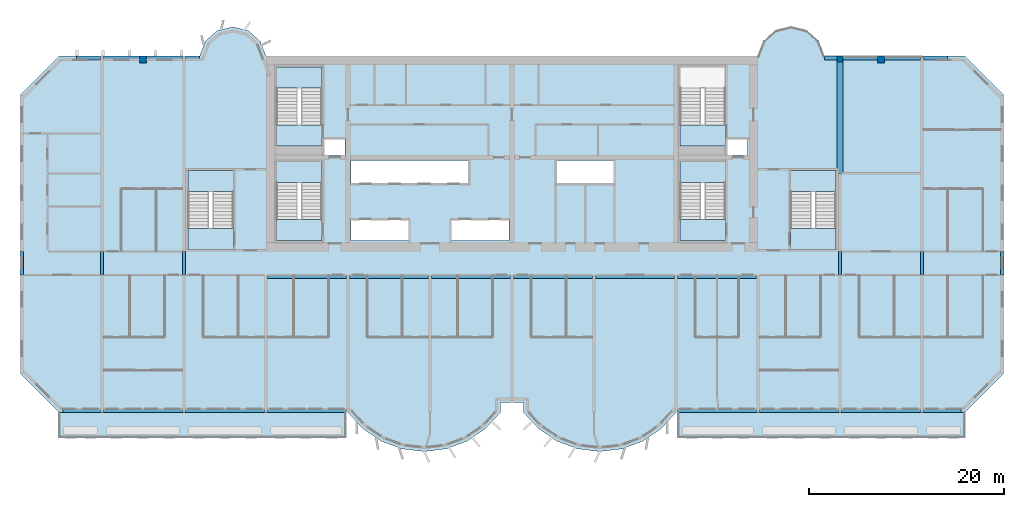
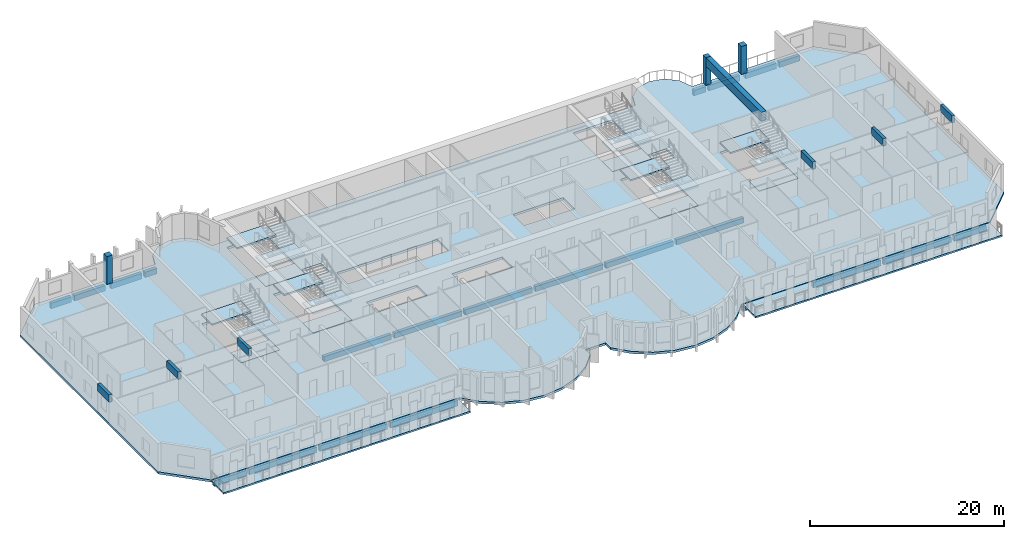
# One storey, part 1 of 14: 29 beams, 20 slabs, 3 columns, 6 elements without a shape of their own.
"""IFC4 building model written with IfcOpenShell, lengths in metres."""

from ifc_helpers import new_model, si_unit, direction, frame, origin, origin_2d, place, context, subcontext, project, spatial, polyline, rectangle, outline, extrude, source, transform, mapped, material, layer, layer_set, material_profile, profile_set, type_object, element, aggregate, save


model = new_model("IFC4")

# Units and contexts
model_context = context("Model", 3, precision=1e-05, world=origin(), true_north=direction((0.0, 1.0)))
body_context = subcontext(model_context, "Body", "Model", "MODEL_VIEW")
ifc_project = project(units=[si_unit("LENGTHUNIT", "METRE"), si_unit("AREAUNIT", "SQUARE_METRE"), si_unit("VOLUMEUNIT", "CUBIC_METRE"), si_unit("PLANEANGLEUNIT", "RADIAN"), si_unit("MASSUNIT", "GRAM", prefix="KILO")], contexts=[model_context])

# Site, building, storey
site_placement = place(None, origin())
site = spatial("IfcSite", under=ifc_project, at=site_placement, CompositionType="ELEMENT")
building_placement = place(site_placement, origin())
building = spatial("IfcBuilding", under=site, at=building_placement, Name="Vanashikhar Sky Hotel", CompositionType="ELEMENT")
storey_placement = place(building_placement, frame((0.0, 0.0, 121.800048828125)))
storey = spatial("IfcBuildingStorey", under=building, at=storey_placement, Name="L29", CompositionType="ELEMENT", Elevation=121.800048828125)

# Columns
ifc_material_1 = material(Name="Concrete M60", Category="concrete")
ifc_material_profile_1 = material_profile(ifc_material_1, rectangle(XDim=0.60009765625, YDim=0.60009765625, at=origin_2d()))
ifc_profile_set_1 = profile_set([ifc_material_profile_1], Name="RC 600x600 column Concrete M60")
column_type_1 = type_object("IfcColumnType", Name="RC 600x600 column Concrete M60", PredefinedType="COLUMN", material=ifc_profile_set_1)
shared_shape_1 = source(origin(), body_context, "Body", "SweptSolid", [
    extrude(rectangle(XDim=0.60009765625, YDim=0.60009765625, at=origin_2d()), origin(), (0.0, 0.0, 1.0), 3.52001953125),
])
column_placement = place(storey_placement, frame((84.0, 41.699951171875, 0.0), z_axis=(0.0, 0.0, 1.0), x_axis=(1.0, 0.0, 0.0)))
element("IfcColumn", 1, at=column_placement, inside=storey, type_object=column_type_1, Name="CL-L29-CRF", PredefinedType="COLUMN", context=body_context, shape_type="MappedRepresentation", body=[
    mapped(shared_shape_1, transform((0.0, 0.0, 0.0), scale=1.0)),
])
ifc_material_profile_2 = material_profile(ifc_material_1, rectangle(XDim=0.699951171875, YDim=0.699951171875, at=origin_2d()))
ifc_profile_set_2 = profile_set([ifc_material_profile_2], Name="RC 700x700 column Concrete M60")
column_type_2 = type_object("IfcColumnType", Name="RC 700x700 column Concrete M60", PredefinedType="COLUMN", material=ifc_profile_set_2)
shared_shape_2 = source(origin(), body_context, "Body", "SweptSolid", [
    extrude(rectangle(XDim=0.699951171875, YDim=0.699951171875, at=origin_2d()), origin(), (0.0, 0.0, 1.0), 3.52001953125),
])
for number, where, z_axis, x_axis, name in (
    (2, (12.60009765625, 41.64990234375, 0.0), (0.0, 0.0, 1.0), (1.0, 0.0, 0.0), "CL-L29-CR02"),
    (3, (88.199951171875, 41.64990234375, 0.0), (0.0, 0.0, 1.0), (1.0, 0.0, 0.0), "CL-L29-CR11"),
):
    element("IfcColumn", number, at=place(storey_placement, frame(where, z_axis=z_axis, x_axis=x_axis)), inside=storey, type_object=column_type_2, Name=name, PredefinedType="COLUMN", context=body_context, shape_type="MappedRepresentation", body=[
        mapped(shared_shape_2, transform((0.0, 0.0, 0.0), scale=1.0)),
    ])

# Beams
ifc_material_2 = material(Name="Concrete M50", Category="concrete")
ifc_material_profile_3 = material_profile(ifc_material_2, rectangle(XDim=0.60009765625, YDim=1.10009765625, at=origin_2d()))
ifc_profile_set_3 = profile_set([ifc_material_profile_3], Name="RC 600x1100 beam Concrete M50")
beam_type_1 = type_object("IfcBeamType", Name="RC 600x1100 beam Concrete M50", PredefinedType="BEAM", material=ifc_profile_set_3)
shared_shape_3 = source(origin(), body_context, "Body", "SweptSolid", [
    extrude(rectangle(XDim=0.60009765625, YDim=1.10009765625, at=origin_2d()), origin(), (0.0, 0.0, 1.0), 11.39990234375),
])
beam_1_placement = place(storey_placement, frame((84.0, 30.0, 2.969970703125), z_axis=(0.0, 1.0, 0.0), x_axis=(-1.0, 0.0, 0.0)))
element("IfcBeam", 4, at=beam_1_placement, inside=storey, type_object=beam_type_1, Name="LB-L29-XW11-O1", PredefinedType="BEAM", context=body_context, shape_type="MappedRepresentation", body=[
    mapped(shared_shape_3, transform((0.0, 0.0, 0.0), scale=1.0)),
])
ifc_material_profile_4 = material_profile(ifc_material_2, rectangle(XDim=0.35009765625, YDim=0.89990234375, at=origin_2d()))
ifc_profile_set_4 = profile_set([ifc_material_profile_4], Name="RC 350x900 beam Concrete M50")
beam_type_2 = type_object("IfcBeamType", Name="RC 350x900 beam Concrete M50", PredefinedType="LINTEL", material=ifc_profile_set_4)
shared_shape_4 = source(origin(), body_context, "Body", "SweptSolid", [
    extrude(rectangle(XDim=0.35009765625, YDim=0.89990234375, at=origin_2d()), origin(), (0.0, 0.0, 1.0), 2.39990234375),
])
for number, where, z_axis, x_axis, name in (
    (5, (0.175048828125, 19.60009765625, 3.070068359375), (0.0, 1.0, 0.0), (-1.0, 0.0, 0.0), "LB-L29-XW01"),
    (6, (8.39990234375, 19.60009765625, 3.070068359375), (0.0, 1.0, 0.0), (-1.0, 0.0, 0.0), "LB-L29-XW02"),
    (7, (16.800048828125, 19.60009765625, 3.070068359375), (0.0, 1.0, 0.0), (-1.0, 0.0, 0.0), "LB-L29-XW03"),
    (8, (84.0, 19.60009765625, 3.070068359375), (0.0, 1.0, 0.0), (-1.0, 0.0, 0.0), "LB-L29-XW11"),
    (9, (92.39990234375, 19.60009765625, 3.070068359375), (0.0, 1.0, 0.0), (-1.0, 0.0, 0.0), "LB-L29-XW12"),
    (10, (100.625, 19.60009765625, 3.070068359375), (0.0, 1.0, 0.0), (-1.0, 0.0, 0.0), "LB-L29-XW13"),
):
    element("IfcBeam", number, at=place(storey_placement, frame(where, z_axis=z_axis, x_axis=x_axis)), inside=storey, type_object=beam_type_2, Name=name, PredefinedType="LINTEL", context=body_context, shape_type="MappedRepresentation", body=[
        mapped(shared_shape_4, transform((0.0, 0.0, 0.0), scale=1.0)),
    ])
ifc_material_profile_5 = material_profile(ifc_material_2, rectangle(XDim=0.39990234375, YDim=0.699951171875, at=origin_2d()))
ifc_profile_set_5 = profile_set([ifc_material_profile_5], Name="RC 400x700 beam Concrete M50")
beam_type_3 = type_object("IfcBeamType", Name="RC 400x700 beam Concrete M50", PredefinedType="SPANDREL", material=ifc_profile_set_5)
shared_shape_5 = source(origin(), body_context, "Body", "SweptSolid", [
    extrude(rectangle(XDim=0.39990234375, YDim=0.699951171875, at=origin_2d()), origin(), (0.0, 0.0, 1.0), 8.050048828125),
])
for number, where, z_axis, x_axis, name in (
    (11, (8.574951171875, 5.699951171875, -0.630126953125), (1.0, 0.0, 0.0), (0.0, 1.0, 0.0), "EB-L29-F01"),
    (12, (25.375, 5.699951171875, -0.630126953125), (1.0, 0.0, 0.0), (0.0, 1.0, 0.0), "EB-L29-F03"),
    (13, (67.375, 5.699951171875, -0.630126953125), (1.0, 0.0, 0.0), (0.0, 1.0, 0.0), "EB-L29-F05"),
    (14, (75.77490234375, 5.699951171875, -0.630126953125), (1.0, 0.0, 0.0), (0.0, 1.0, 0.0), "EB-L29-F06"),
    (15, (84.175048828125, 5.699951171875, -0.630126953125), (1.0, 0.0, 0.0), (0.0, 1.0, 0.0), "EB-L29-F07"),
):
    element("IfcBeam", number, at=place(storey_placement, frame(where, z_axis=z_axis, x_axis=x_axis)), inside=storey, type_object=beam_type_3, Name=name, PredefinedType="SPANDREL", context=body_context, shape_type="MappedRepresentation", body=[
        mapped(shared_shape_5, transform((0.0, 0.0, 0.0), scale=1.0)),
    ])
shared_shape_6 = source(origin(), body_context, "Body", "SweptSolid", [
    extrude(rectangle(XDim=0.39990234375, YDim=0.699951171875, at=origin_2d()), origin(), (0.0, 0.0, 1.0), 8.0498046875),
])
beam_2_placement = place(storey_placement, frame((16.97509765625, 5.699951171875, -0.630126953125), z_axis=(1.0, 0.0, 0.0), x_axis=(0.0, 1.0, 0.0)))
element("IfcBeam", 16, at=beam_2_placement, inside=storey, type_object=beam_type_3, Name="EB-L29-F02", PredefinedType="SPANDREL", context=body_context, shape_type="MappedRepresentation", body=[
    mapped(shared_shape_6, transform((0.0, 0.0, 0.0), scale=1.0)),
])
ifc_material_profile_6 = material_profile(ifc_material_2, rectangle(XDim=0.39990234375, YDim=0.699951171875, at=origin_2d()))
ifc_profile_set_6 = profile_set([ifc_material_profile_6], Name="RC 400x700 cantilever beam Concrete M50")
beam_type_4 = type_object("IfcBeamType", Name="RC 400x700 cantilever beam Concrete M50", PredefinedType="SPANDREL", material=ifc_profile_set_6)
shared_shape_7 = source(origin(), body_context, "Body", "SweptSolid", [
    extrude(rectangle(XDim=0.39990234375, YDim=0.699951171875, at=origin_2d()), origin(), (0.0, 0.0, 1.0), 3.8251953125),
])
beam_3_placement = place(storey_placement, frame((4.39990234375, 5.699951171875, -0.630126953125), z_axis=(1.0, 0.0, 0.0), x_axis=(0.0, 1.0, 0.0)))
element("IfcBeam", 17, at=beam_3_placement, inside=storey, type_object=beam_type_4, Name="EB-L29-F04", PredefinedType="SPANDREL", context=body_context, shape_type="MappedRepresentation", body=[
    mapped(shared_shape_7, transform((0.0, 0.0, 0.0), scale=1.0)),
])
shared_shape_8 = source(origin(), body_context, "Body", "SweptSolid", [
    extrude(rectangle(XDim=0.39990234375, YDim=0.699951171875, at=origin_2d()), origin(), (0.0, 0.0, 1.0), 3.824951171875),
])
beam_4_placement = place(storey_placement, frame((92.574951171875, 5.699951171875, -0.630126953125), z_axis=(1.0, 0.0, 0.0), x_axis=(0.0, 1.0, 0.0)))
element("IfcBeam", 18, at=beam_4_placement, inside=storey, type_object=beam_type_4, Name="EB-L29-F08", PredefinedType="SPANDREL", context=body_context, shape_type="MappedRepresentation", body=[
    mapped(shared_shape_8, transform((0.0, 0.0, 0.0), scale=1.0)),
])
shared_shape_9 = source(origin(), body_context, "Body", "SweptSolid", [
    extrude(rectangle(XDim=0.39990234375, YDim=0.699951171875, at=origin_2d()), origin(), (0.0, 0.0, 1.0), 3.675048828125),
])
for number, where, z_axis, x_axis, name in (
    (19, (8.574951171875, 41.800048828125, -0.630126953125), (1.0, 0.0, 0.0), (0.0, 1.0, 0.0), "EB-L29-R01"),
    (20, (12.949951171875, 41.800048828125, -0.630126953125), (1.0, 0.0, 0.0), (0.0, 1.0, 0.0), "EB-L29-R02"),
    (21, (84.175048828125, 41.800048828125, -0.630126953125), (1.0, 0.0, 0.0), (0.0, 1.0, 0.0), "EB-L29-R05"),
    (22, (88.550048828125, 41.800048828125, -0.630126953125), (1.0, 0.0, 0.0), (0.0, 1.0, 0.0), "EB-L29-R06"),
):
    element("IfcBeam", number, at=place(storey_placement, frame(where, z_axis=z_axis, x_axis=x_axis)), inside=storey, type_object=beam_type_3, Name=name, PredefinedType="SPANDREL", context=body_context, shape_type="MappedRepresentation", body=[
        mapped(shared_shape_9, transform((0.0, 0.0, 0.0), scale=1.0)),
    ])
shared_shape_10 = source(origin(), body_context, "Body", "SweptSolid", [
    extrude(rectangle(XDim=0.39990234375, YDim=0.699951171875, at=origin_2d()), origin(), (0.0, 0.0, 1.0), 2.43017578125),
])
beam_5_placement = place(storey_placement, frame((5.794921875, 41.800048828125, -0.630126953125), z_axis=(1.0, 0.0, 0.0), x_axis=(0.0, 1.0, 0.0)))
element("IfcBeam", 23, at=beam_5_placement, inside=storey, type_object=beam_type_4, Name="EB-L29-R03", PredefinedType="SPANDREL", context=body_context, shape_type="MappedRepresentation", body=[
    mapped(shared_shape_10, transform((0.0, 0.0, 0.0), scale=1.0)),
])
shared_shape_11 = source(origin(), body_context, "Body", "SweptSolid", [
    extrude(rectangle(XDim=0.39990234375, YDim=0.699951171875, at=origin_2d()), origin(), (0.0, 0.0, 1.0), 1.4248046875),
])
beam_6_placement = place(storey_placement, frame((16.97509765625, 41.800048828125, -0.630126953125), z_axis=(1.0, 0.0, 0.0), x_axis=(0.0, 1.0, 0.0)))
element("IfcBeam", 24, at=beam_6_placement, inside=storey, type_object=beam_type_4, Name="EB-L29-R04", PredefinedType="SPANDREL", context=body_context, shape_type="MappedRepresentation", body=[
    mapped(shared_shape_11, transform((0.0, 0.0, 0.0), scale=1.0)),
])
shared_shape_12 = source(origin(), body_context, "Body", "SweptSolid", [
    extrude(rectangle(XDim=0.39990234375, YDim=0.699951171875, at=origin_2d()), origin(), (0.0, 0.0, 1.0), 1.425048828125),
])
beam_7_placement = place(storey_placement, frame((82.39990234375, 41.800048828125, -0.630126953125), z_axis=(1.0, 0.0, 0.0), x_axis=(0.0, 1.0, 0.0)))
element("IfcBeam", 25, at=beam_7_placement, inside=storey, type_object=beam_type_4, Name="EB-L29-R07", PredefinedType="SPANDREL", context=body_context, shape_type="MappedRepresentation", body=[
    mapped(shared_shape_12, transform((0.0, 0.0, 0.0), scale=1.0)),
])
shared_shape_13 = source(origin(), body_context, "Body", "SweptSolid", [
    extrude(rectangle(XDim=0.39990234375, YDim=0.699951171875, at=origin_2d()), origin(), (0.0, 0.0, 1.0), 2.429931640625),
])
beam_8_placement = place(storey_placement, frame((92.574951171875, 41.800048828125, -0.630126953125), z_axis=(1.0, 0.0, 0.0), x_axis=(0.0, 1.0, 0.0)))
element("IfcBeam", 26, at=beam_8_placement, inside=storey, type_object=beam_type_4, Name="EB-L29-R08", PredefinedType="SPANDREL", context=body_context, shape_type="MappedRepresentation", body=[
    mapped(shared_shape_13, transform((0.0, 0.0, 0.0), scale=1.0)),
])
ifc_material_profile_7 = material_profile(ifc_material_2, rectangle(XDim=0.39990234375, YDim=0.64990234375, at=origin_2d()))
ifc_profile_set_7 = profile_set([ifc_material_profile_7], Name="RC 400x650 beam Concrete M50")
beam_type_5 = type_object("IfcBeamType", Name="RC 400x650 beam Concrete M50", PredefinedType="BEAM", material=ifc_profile_set_7)
shared_shape_14 = source(origin(), body_context, "Body", "SweptSolid", [
    extrude(rectangle(XDim=0.39990234375, YDim=0.64990234375, at=origin_2d()), origin(), (0.0, 0.0, 1.0), 8.050048828125),
])
for number, where, z_axis, x_axis, name in (
    (27, (25.375, 19.39990234375, -0.60498046875), (1.0, 0.0, 0.0), (0.0, 1.0, 0.0), "CB-L29-01"),
    (28, (33.77490234375, 19.39990234375, -0.60498046875), (1.0, 0.0, 0.0), (0.0, 1.0, 0.0), "CB-L29-02"),
    (29, (42.175048828125, 19.39990234375, -0.60498046875), (1.0, 0.0, 0.0), (0.0, 1.0, 0.0), "CB-L29-03"),
    (30, (50.574951171875, 19.39990234375, -0.60498046875), (1.0, 0.0, 0.0), (0.0, 1.0, 0.0), "CB-L29-04"),
    (31, (67.375, 19.39990234375, -0.60498046875), (1.0, 0.0, 0.0), (0.0, 1.0, 0.0), "CB-L29-06"),
):
    element("IfcBeam", number, at=place(storey_placement, frame(where, z_axis=z_axis, x_axis=x_axis)), inside=storey, type_object=beam_type_5, Name=name, PredefinedType="BEAM", context=body_context, shape_type="MappedRepresentation", body=[
        mapped(shared_shape_14, transform((0.0, 0.0, 0.0), scale=1.0)),
    ])
shared_shape_15 = source(origin(), body_context, "Body", "SweptSolid", [
    extrude(rectangle(XDim=0.39990234375, YDim=0.64990234375, at=origin_2d()), origin(), (0.0, 0.0, 1.0), 8.0498046875),
])
beam_9_placement = place(storey_placement, frame((58.97509765625, 19.39990234375, -0.60498046875), z_axis=(1.0, 0.0, 0.0), x_axis=(0.0, 1.0, 0.0)))
element("IfcBeam", 32, at=beam_9_placement, inside=storey, type_object=beam_type_5, Name="CB-L29-05", PredefinedType="BEAM", context=body_context, shape_type="MappedRepresentation", body=[
    mapped(shared_shape_15, transform((0.0, 0.0, 0.0), scale=1.0)),
])

# Slabs
ifc_material_3 = material(Name="Concrete M40", Category="concrete")
ifc_layer_1 = layer(ifc_material_3, 0.280029296875)
ifc_layer_set_1 = layer_set([ifc_layer_1], Name="Floor slab 280 mm")
slab_type_1 = type_object("IfcSlabType", Name="Floor slab 280 mm", PredefinedType="FLOOR", material=ifc_layer_set_1)
shared_shape_16 = source(origin(), body_context, "Body", "SweptSolid", [
    extrude(outline(polyline([(49.199951171875, 5.5), (49.199951171875, 6.5), (51.60009765625, 6.5), (51.60009765625, 5.5), (53.133056640625, 3.825927734375), (55.01708984375, 2.55810546875), (57.14599609375, 1.76806640625), (59.39990234375, 1.5), (61.654052734375, 1.76806640625), (63.782958984375, 2.55810546875), (65.6669921875, 3.825927734375), (67.199951171875, 5.5), (96.800048828125, 5.5), (100.800048828125, 9.5), (100.800048828125, 38.0), (96.800048828125, 42.0), (82.39990234375, 42.0), (81.81494140625, 43.527099609375), (80.587890625, 44.610107421875), (79.0, 45.0), (77.412109375, 44.610107421875), (76.18505859375, 43.527099609375), (75.60009765625, 42.0), (25.199951171875, 42.0), (24.614990234375, 43.527099609375), (23.387939453125, 44.610107421875), (21.800048828125, 45.0), (20.2119140625, 44.610107421875), (18.985107421875, 43.527099609375), (18.39990234375, 42.0), (4.0, 42.0), (0.0, 38.0), (0.0, 9.5), (4.0, 5.5), (33.60009765625, 5.5), (35.133056640625, 3.825927734375), (37.01708984375, 2.55810546875), (39.14599609375, 1.76806640625), (41.39990234375, 1.5), (43.654052734375, 1.76806640625), (45.782958984375, 2.55810546875), (47.6669921875, 3.825927734375), (49.199951171875, 5.5)]), holes=[polyline([(33.300048828125, 33.60009765625), (31.050048828125, 33.60009765625), (31.050048828125, 31.89990234375), (33.300048828125, 31.89990234375), (33.300048828125, 33.60009765625)]), polyline([(33.89990234375, 25.199951171875), (33.89990234375, 23.10009765625), (39.89990234375, 23.10009765625), (39.89990234375, 25.199951171875), (33.89990234375, 25.199951171875)]), polyline([(33.89990234375, 31.300048828125), (33.89990234375, 29.0), (45.89990234375, 29.0), (45.89990234375, 31.300048828125), (33.89990234375, 31.300048828125)]), polyline([(44.10009765625, 25.199951171875), (44.10009765625, 23.10009765625), (50.10009765625, 23.10009765625), (50.10009765625, 25.199951171875), (44.10009765625, 25.199951171875)]), polyline([(54.89990234375, 31.300048828125), (54.89990234375, 29.0), (60.89990234375, 29.0), (60.89990234375, 31.300048828125), (54.89990234375, 31.300048828125)]), polyline([(74.5, 33.60009765625), (72.35009765625, 33.60009765625), (72.35009765625, 31.89990234375), (74.5, 31.89990234375), (74.5, 33.60009765625)]), polyline([(30.949951171875, 23.10009765625), (30.949951171875, 31.199951171875), (26.300048828125, 31.199951171875), (26.300048828125, 23.10009765625), (30.949951171875, 23.10009765625)]), polyline([(72.25, 23.10009765625), (72.25, 31.199951171875), (67.60009765625, 31.199951171875), (67.60009765625, 23.10009765625), (72.25, 23.10009765625)]), polyline([(30.949951171875, 32.800048828125), (30.949951171875, 40.89990234375), (26.300048828125, 40.89990234375), (26.300048828125, 32.800048828125), (30.949951171875, 32.800048828125)]), polyline([(72.25, 32.800048828125), (72.25, 40.89990234375), (67.60009765625, 40.89990234375), (67.60009765625, 32.800048828125), (72.25, 32.800048828125)]), polyline([(83.60009765625, 22.199951171875), (83.60009765625, 30.300048828125), (78.949951171875, 30.300048828125), (78.949951171875, 22.199951171875), (83.60009765625, 22.199951171875)]), polyline([(21.85009765625, 22.199951171875), (21.85009765625, 30.300048828125), (17.199951171875, 30.300048828125), (17.199951171875, 22.199951171875), (21.85009765625, 22.199951171875)])]), origin(), (0.0, 0.0, 1.0), 0.280029296875),
])
slab_1_placement = place(storey_placement, frame((0.0, 0.0, -0.280029296875)))
element("IfcSlab", 33, at=slab_1_placement, inside=storey, type_object=slab_type_1, Name="Floor slab L29", PredefinedType="FLOOR", context=body_context, shape_type="MappedRepresentation", body=[
    mapped(shared_shape_16, transform((0.0, 0.0, 0.0), scale=1.0)),
])
ifc_layer_2 = layer(ifc_material_3, 0.199951171875)
ifc_layer_set_2 = layer_set([ifc_layer_2], Name="Balcony slab 200 mm")
slab_type_2 = type_object("IfcSlabType", Name="Balcony slab 200 mm", PredefinedType="USERDEFINED", material=ifc_layer_set_2)
shared_shape_17 = source(origin(), body_context, "Body", "SweptSolid", [
    extrude(outline(polyline([(4.0, 2.89990234375), (33.39990234375, 2.89990234375), (33.39990234375, 5.5), (4.0, 5.5), (4.0, 2.89990234375)])), origin(), (0.0, 0.0, 1.0), 0.199951171875),
])
slab_2_placement = place(storey_placement, frame((0.0, 0.0, -0.25)))
element("IfcSlab", 34, at=slab_2_placement, inside=storey, type_object=slab_type_2, Name="Balcony slab L29 1", ObjectType="BALCONY", PredefinedType="USERDEFINED", context=body_context, shape_type="MappedRepresentation", body=[
    mapped(shared_shape_17, transform((0.0, 0.0, 0.0), scale=1.0)),
])
shared_shape_18 = source(origin(), body_context, "Body", "SweptSolid", [
    extrude(outline(polyline([(67.39990234375, 2.89990234375), (96.800048828125, 2.89990234375), (96.800048828125, 5.5), (67.39990234375, 5.5), (67.39990234375, 2.89990234375)])), origin(), (0.0, 0.0, 1.0), 0.199951171875),
])
slab_3_placement = place(storey_placement, frame((0.0, 0.0, -0.25)))
element("IfcSlab", 35, at=slab_3_placement, inside=storey, type_object=slab_type_2, Name="Balcony slab L29 2", ObjectType="BALCONY", PredefinedType="USERDEFINED", context=body_context, shape_type="MappedRepresentation", body=[
    mapped(shared_shape_18, transform((0.0, 0.0, 0.0), scale=1.0)),
])

# Stair, slabs
stair_type = type_object("IfcStairType", Name="Exit stair 2150", PredefinedType="DOUBLE_RETURN_STAIR", material=ifc_material_3)
stair_1_placement = place(storey_placement, origin())
stair_1 = element("IfcStair", 36, at=stair_1_placement, inside=storey, type_object=stair_type, Name="L29 Exit stair 1", PredefinedType="DOUBLE_RETURN_STAIR")
ifc_layer_3 = layer(ifc_material_3, 0.199951171875)
ifc_layer_set_3 = layer_set([ifc_layer_3], Name="Stair landing 200")
slab_type_3 = type_object("IfcSlabType", Name="Stair landing 200", PredefinedType="LANDING", material=ifc_layer_set_3)
shared_shape_19 = source(origin(), body_context, "Body", "SweptSolid", [
    extrude(outline(polyline([(30.949951171875, 29.050048828125), (30.949951171875, 31.199951171875), (26.300048828125, 31.199951171875), (26.300048828125, 29.050048828125), (30.949951171875, 29.050048828125)])), origin(), (0.0, 0.0, 1.0), 0.199951171875),
])
slab_4_placement = place(storey_placement, frame((0.0, 0.0, 1.066650390625)))
slab_4 = element("IfcSlab", 37, at=slab_4_placement, type_object=slab_type_3, Name="ST-C1 landing 1", PredefinedType="LANDING", context=body_context, shape_type="MappedRepresentation", body=[
    mapped(shared_shape_19, transform((0.0, 0.0, 0.0), scale=1.0)),
])
shared_shape_20 = source(origin(), body_context, "Body", "SweptSolid", [
    extrude(outline(polyline([(30.949951171875, 23.10009765625), (30.949951171875, 25.25), (26.300048828125, 25.25), (26.300048828125, 23.10009765625), (30.949951171875, 23.10009765625)])), origin(), (0.0, 0.0, 1.0), 0.199951171875),
])
slab_5_placement = place(storey_placement, frame((0.0, 0.0, 2.333251953125)))
slab_5 = element("IfcSlab", 38, at=slab_5_placement, type_object=slab_type_3, Name="ST-C1 landing 2", PredefinedType="LANDING", context=body_context, shape_type="MappedRepresentation", body=[
    mapped(shared_shape_20, transform((0.0, 0.0, 0.0), scale=1.0)),
])
aggregate(stair_1, [slab_4, slab_5])

# Slab
ifc_layer_4 = layer(ifc_material_3, 0.280029296875)
ifc_layer_set_4 = layer_set([ifc_layer_4], Name="Stair floor landing 280")
slab_type_4 = type_object("IfcSlabType", Name="Stair floor landing 280", PredefinedType="LANDING", material=ifc_layer_set_4)
shared_shape_21 = source(origin(), body_context, "Body", "SweptSolid", [
    extrude(outline(polyline([(30.949951171875, 23.10009765625), (30.949951171875, 25.25), (26.300048828125, 25.25), (26.300048828125, 23.10009765625), (30.949951171875, 23.10009765625)])), origin(), (0.0, 0.0, 1.0), 0.280029296875),
])
slab_6_placement = place(storey_placement, frame((0.0, 0.0, -0.280029296875)))
element("IfcSlab", 39, at=slab_6_placement, inside=storey, type_object=slab_type_4, Name="Exit stair 1 floor landing", PredefinedType="LANDING", context=body_context, shape_type="MappedRepresentation", body=[
    mapped(shared_shape_21, transform((0.0, 0.0, 0.0), scale=1.0)),
])

# Stair, slabs
stair_2_placement = place(storey_placement, origin())
stair_2 = element("IfcStair", 40, at=stair_2_placement, inside=storey, type_object=stair_type, Name="L29 Exit stair 2", PredefinedType="DOUBLE_RETURN_STAIR")
shared_shape_22 = source(origin(), body_context, "Body", "SweptSolid", [
    extrude(outline(polyline([(72.25, 29.050048828125), (72.25, 31.199951171875), (67.60009765625, 31.199951171875), (67.60009765625, 29.050048828125), (72.25, 29.050048828125)])), origin(), (0.0, 0.0, 1.0), 0.199951171875),
])
slab_7_placement = place(storey_placement, frame((0.0, 0.0, 1.066650390625)))
slab_7 = element("IfcSlab", 41, at=slab_7_placement, type_object=slab_type_3, Name="ST-C2 landing 1", PredefinedType="LANDING", context=body_context, shape_type="MappedRepresentation", body=[
    mapped(shared_shape_22, transform((0.0, 0.0, 0.0), scale=1.0)),
])
shared_shape_23 = source(origin(), body_context, "Body", "SweptSolid", [
    extrude(outline(polyline([(72.25, 23.10009765625), (72.25, 25.25), (67.60009765625, 25.25), (67.60009765625, 23.10009765625), (72.25, 23.10009765625)])), origin(), (0.0, 0.0, 1.0), 0.199951171875),
])
slab_8_placement = place(storey_placement, frame((0.0, 0.0, 2.333251953125)))
slab_8 = element("IfcSlab", 42, at=slab_8_placement, type_object=slab_type_3, Name="ST-C2 landing 2", PredefinedType="LANDING", context=body_context, shape_type="MappedRepresentation", body=[
    mapped(shared_shape_23, transform((0.0, 0.0, 0.0), scale=1.0)),
])
aggregate(stair_2, [slab_7, slab_8])

# Slab
shared_shape_24 = source(origin(), body_context, "Body", "SweptSolid", [
    extrude(outline(polyline([(72.25, 23.10009765625), (72.25, 25.25), (67.60009765625, 25.25), (67.60009765625, 23.10009765625), (72.25, 23.10009765625)])), origin(), (0.0, 0.0, 1.0), 0.280029296875),
])
slab_9_placement = place(storey_placement, frame((0.0, 0.0, -0.280029296875)))
element("IfcSlab", 43, at=slab_9_placement, inside=storey, type_object=slab_type_4, Name="Exit stair 2 floor landing", PredefinedType="LANDING", context=body_context, shape_type="MappedRepresentation", body=[
    mapped(shared_shape_24, transform((0.0, 0.0, 0.0), scale=1.0)),
])

# Stair, slabs
stair_3_placement = place(storey_placement, origin())
stair_3 = element("IfcStair", 44, at=stair_3_placement, inside=storey, type_object=stair_type, Name="L29 Exit stair 3", PredefinedType="DOUBLE_RETURN_STAIR")
shared_shape_25 = source(origin(), body_context, "Body", "SweptSolid", [
    extrude(outline(polyline([(21.85009765625, 28.14990234375), (21.85009765625, 30.300048828125), (17.199951171875, 30.300048828125), (17.199951171875, 28.14990234375), (21.85009765625, 28.14990234375)])), origin(), (0.0, 0.0, 1.0), 0.199951171875),
])
slab_10_placement = place(storey_placement, frame((0.0, 0.0, 1.066650390625)))
slab_10 = element("IfcSlab", 45, at=slab_10_placement, type_object=slab_type_3, Name="ST-W landing 1", PredefinedType="LANDING", context=body_context, shape_type="MappedRepresentation", body=[
    mapped(shared_shape_25, transform((0.0, 0.0, 0.0), scale=1.0)),
])
shared_shape_26 = source(origin(), body_context, "Body", "SweptSolid", [
    extrude(outline(polyline([(21.85009765625, 22.199951171875), (21.85009765625, 24.35009765625), (17.199951171875, 24.35009765625), (17.199951171875, 22.199951171875), (21.85009765625, 22.199951171875)])), origin(), (0.0, 0.0, 1.0), 0.199951171875),
])
slab_11_placement = place(storey_placement, frame((0.0, 0.0, 2.333251953125)))
slab_11 = element("IfcSlab", 46, at=slab_11_placement, type_object=slab_type_3, Name="ST-W landing 2", PredefinedType="LANDING", context=body_context, shape_type="MappedRepresentation", body=[
    mapped(shared_shape_26, transform((0.0, 0.0, 0.0), scale=1.0)),
])
aggregate(stair_3, [slab_10, slab_11])

# Slab
shared_shape_27 = source(origin(), body_context, "Body", "SweptSolid", [
    extrude(outline(polyline([(21.85009765625, 22.199951171875), (21.85009765625, 24.35009765625), (17.199951171875, 24.35009765625), (17.199951171875, 22.199951171875), (21.85009765625, 22.199951171875)])), origin(), (0.0, 0.0, 1.0), 0.280029296875),
])
slab_12_placement = place(storey_placement, frame((0.0, 0.0, -0.280029296875)))
element("IfcSlab", 47, at=slab_12_placement, inside=storey, type_object=slab_type_4, Name="Exit stair 3 floor landing", PredefinedType="LANDING", context=body_context, shape_type="MappedRepresentation", body=[
    mapped(shared_shape_27, transform((0.0, 0.0, 0.0), scale=1.0)),
])

# Stair, slabs
stair_4_placement = place(storey_placement, origin())
stair_4 = element("IfcStair", 48, at=stair_4_placement, inside=storey, type_object=stair_type, Name="L29 Exit stair 4", PredefinedType="DOUBLE_RETURN_STAIR")
shared_shape_28 = source(origin(), body_context, "Body", "SweptSolid", [
    extrude(outline(polyline([(83.60009765625, 28.14990234375), (83.60009765625, 30.300048828125), (78.949951171875, 30.300048828125), (78.949951171875, 28.14990234375), (83.60009765625, 28.14990234375)])), origin(), (0.0, 0.0, 1.0), 0.199951171875),
])
slab_13_placement = place(storey_placement, frame((0.0, 0.0, 1.066650390625)))
slab_13 = element("IfcSlab", 49, at=slab_13_placement, type_object=slab_type_3, Name="ST-E landing 1", PredefinedType="LANDING", context=body_context, shape_type="MappedRepresentation", body=[
    mapped(shared_shape_28, transform((0.0, 0.0, 0.0), scale=1.0)),
])
shared_shape_29 = source(origin(), body_context, "Body", "SweptSolid", [
    extrude(outline(polyline([(83.60009765625, 22.199951171875), (83.60009765625, 24.35009765625), (78.949951171875, 24.35009765625), (78.949951171875, 22.199951171875), (83.60009765625, 22.199951171875)])), origin(), (0.0, 0.0, 1.0), 0.199951171875),
])
slab_14_placement = place(storey_placement, frame((0.0, 0.0, 2.333251953125)))
slab_14 = element("IfcSlab", 50, at=slab_14_placement, type_object=slab_type_3, Name="ST-E landing 2", PredefinedType="LANDING", context=body_context, shape_type="MappedRepresentation", body=[
    mapped(shared_shape_29, transform((0.0, 0.0, 0.0), scale=1.0)),
])
aggregate(stair_4, [slab_13, slab_14])

# Slab
shared_shape_30 = source(origin(), body_context, "Body", "SweptSolid", [
    extrude(outline(polyline([(83.60009765625, 22.199951171875), (83.60009765625, 24.35009765625), (78.949951171875, 24.35009765625), (78.949951171875, 22.199951171875), (83.60009765625, 22.199951171875)])), origin(), (0.0, 0.0, 1.0), 0.280029296875),
])
slab_15_placement = place(storey_placement, frame((0.0, 0.0, -0.280029296875)))
element("IfcSlab", 51, at=slab_15_placement, inside=storey, type_object=slab_type_4, Name="Exit stair 4 floor landing", PredefinedType="LANDING", context=body_context, shape_type="MappedRepresentation", body=[
    mapped(shared_shape_30, transform((0.0, 0.0, 0.0), scale=1.0)),
])

# Stair, slabs
stair_5_placement = place(storey_placement, origin())
stair_5 = element("IfcStair", 52, at=stair_5_placement, inside=storey, type_object=stair_type, Name="L29 Exit stair 5", PredefinedType="DOUBLE_RETURN_STAIR")
shared_shape_31 = source(origin(), body_context, "Body", "SweptSolid", [
    extrude(outline(polyline([(30.949951171875, 38.75), (30.949951171875, 40.89990234375), (26.300048828125, 40.89990234375), (26.300048828125, 38.75), (30.949951171875, 38.75)])), origin(), (0.0, 0.0, 1.0), 0.199951171875),
])
slab_16_placement = place(storey_placement, frame((0.0, 0.0, 1.066650390625)))
slab_16 = element("IfcSlab", 53, at=slab_16_placement, type_object=slab_type_3, Name="ST-C3 landing 1", PredefinedType="LANDING", context=body_context, shape_type="MappedRepresentation", body=[
    mapped(shared_shape_31, transform((0.0, 0.0, 0.0), scale=1.0)),
])
shared_shape_32 = source(origin(), body_context, "Body", "SweptSolid", [
    extrude(outline(polyline([(30.949951171875, 32.800048828125), (30.949951171875, 34.949951171875), (26.300048828125, 34.949951171875), (26.300048828125, 32.800048828125), (30.949951171875, 32.800048828125)])), origin(), (0.0, 0.0, 1.0), 0.199951171875),
])
slab_17_placement = place(storey_placement, frame((0.0, 0.0, 2.333251953125)))
slab_17 = element("IfcSlab", 54, at=slab_17_placement, type_object=slab_type_3, Name="ST-C3 landing 2", PredefinedType="LANDING", context=body_context, shape_type="MappedRepresentation", body=[
    mapped(shared_shape_32, transform((0.0, 0.0, 0.0), scale=1.0)),
])
aggregate(stair_5, [slab_16, slab_17])

# Slab
shared_shape_33 = source(origin(), body_context, "Body", "SweptSolid", [
    extrude(outline(polyline([(30.949951171875, 32.800048828125), (30.949951171875, 34.949951171875), (26.300048828125, 34.949951171875), (26.300048828125, 32.800048828125), (30.949951171875, 32.800048828125)])), origin(), (0.0, 0.0, 1.0), 0.280029296875),
])
slab_18_placement = place(storey_placement, frame((0.0, 0.0, -0.280029296875)))
element("IfcSlab", 55, at=slab_18_placement, inside=storey, type_object=slab_type_4, Name="Exit stair 5 floor landing", PredefinedType="LANDING", context=body_context, shape_type="MappedRepresentation", body=[
    mapped(shared_shape_33, transform((0.0, 0.0, 0.0), scale=1.0)),
])

# Stair, slab
stair_6_placement = place(storey_placement, origin())
stair_6 = element("IfcStair", 56, at=stair_6_placement, inside=storey, type_object=stair_type, Name="L29 Exit stair 6", PredefinedType="DOUBLE_RETURN_STAIR")
shared_shape_34 = source(origin(), body_context, "Body", "SweptSolid", [
    extrude(outline(polyline([(72.25, 32.800048828125), (72.25, 34.949951171875), (67.60009765625, 34.949951171875), (67.60009765625, 32.800048828125), (72.25, 32.800048828125)])), origin(), (0.0, 0.0, 1.0), 0.199951171875),
])
slab_19_placement = place(storey_placement, frame((0.0, 0.0, 2.333251953125)))
slab_19 = element("IfcSlab", 57, at=slab_19_placement, type_object=slab_type_3, Name="ST-C4 landing 2", PredefinedType="LANDING", context=body_context, shape_type="MappedRepresentation", body=[
    mapped(shared_shape_34, transform((0.0, 0.0, 0.0), scale=1.0)),
])
aggregate(stair_6, [slab_19])

# Slab
shared_shape_35 = source(origin(), body_context, "Body", "SweptSolid", [
    extrude(outline(polyline([(72.25, 32.800048828125), (72.25, 34.949951171875), (67.60009765625, 34.949951171875), (67.60009765625, 32.800048828125), (72.25, 32.800048828125)])), origin(), (0.0, 0.0, 1.0), 0.280029296875),
])
slab_20_placement = place(storey_placement, frame((0.0, 0.0, -0.280029296875)))
element("IfcSlab", 58, at=slab_20_placement, inside=storey, type_object=slab_type_4, Name="Exit stair 6 floor landing", PredefinedType="LANDING", context=body_context, shape_type="MappedRepresentation", body=[
    mapped(shared_shape_35, transform((0.0, 0.0, 0.0), scale=1.0)),
])

save(model, "model.ifc")
